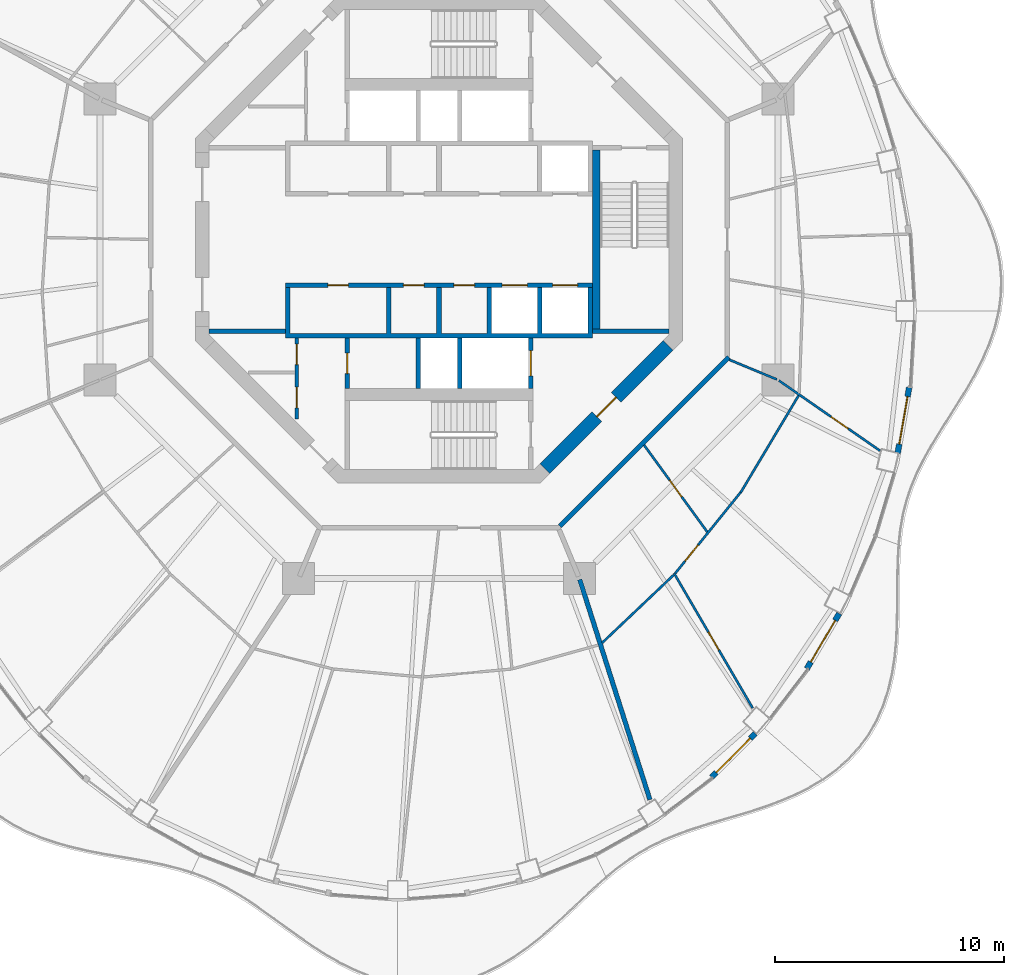
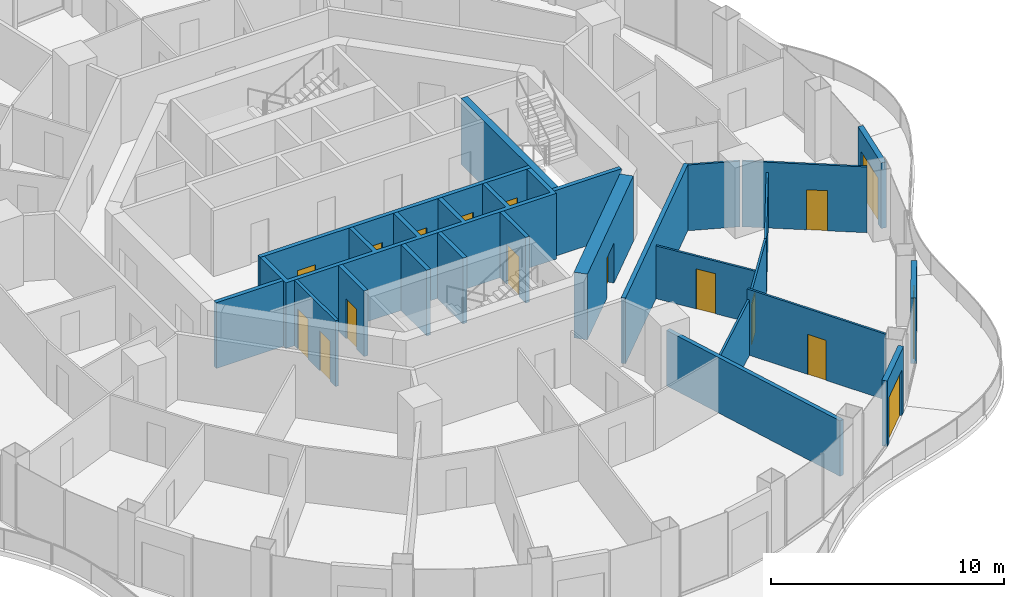
# One storey, part 11 of 17: 23 walls, 17 doors, 17 openings.
"""IFC4 building model written with IfcOpenShell, lengths in metres."""

from ifc_helpers import new_model, si_unit, direction, frame, frame_2d, origin, place, context, subcontext, project, spatial, polyline, rectangle, outline, extrude, material, layer, layer_set, type_object, element, fill, save


model = new_model("IFC4")

# Units and contexts
model_context = context("Model", 3, precision=1e-05, world=origin(), true_north=direction((0.0, 1.0)))
body_context = subcontext(model_context, "Body", "Model", "MODEL_VIEW")
ifc_project = project(units=[si_unit("LENGTHUNIT", "METRE"), si_unit("AREAUNIT", "SQUARE_METRE"), si_unit("VOLUMEUNIT", "CUBIC_METRE"), si_unit("PLANEANGLEUNIT", "RADIAN"), si_unit("MASSUNIT", "GRAM", prefix="KILO")], contexts=[model_context])

# Site, building, storey
site_placement = place(None, origin())
site = spatial("IfcSite", under=ifc_project, at=site_placement, CompositionType="ELEMENT")
building_placement = place(site_placement, origin())
building = spatial("IfcBuilding", under=site, at=building_placement, Name="Nagisa Residences", CompositionType="ELEMENT")
storey_placement = place(building_placement, frame((0.0, 0.0, 277.0)))
storey = spatial("IfcBuildingStorey", under=building, at=storey_placement, Name="L70", CompositionType="ELEMENT", Elevation=277.0)

# Walls
ifc_material_1 = material(Name="Gypsum board on steel studs", Category="steel")
ifc_layer_1 = layer(ifc_material_1, 0.199951171875)
ifc_layer_set_1 = layer_set([ifc_layer_1], Name="Apartment compartment wall EI60 200")
wall_type_1 = type_object("IfcWallType", Name="Apartment compartment wall EI60 200", PredefinedType="PARTITIONING", material=ifc_layer_set_1)
wall_1_placement = place(storey_placement, frame((6.13818359375, -14.82958984375, 0.0), z_axis=(0.0, 0.0, 1.0), x_axis=(0.303653679037, -0.952782474234, 0.0)))
element("IfcWall", 1, at=wall_1_placement, inside=storey, type_object=wall_type_1, Name="wall:L70:u09", PredefinedType="PARTITIONING", context=body_context, shape_type="SweptSolid", body=[
    extrude(rectangle(XDim=10.075927734375, YDim=0.199951171875, at=frame_2d((5.0380859375, 0.0))), origin(), (0.0, 0.0, 1.0), 2.905029296875),
])
ifc_material_2 = material(Name="Gypsum board on steel studs", Category="steel")
ifc_layer_2 = layer(ifc_material_2, 0.199951171875)
ifc_layer_set_2 = layer_set([ifc_layer_2], Name="Apartment entry wall EI60 200")
wall_type_2 = type_object("IfcWallType", Name="Apartment entry wall EI60 200", PredefinedType="PARTITIONING", material=ifc_layer_set_2)
wall_2_placement = place(storey_placement, frame((5.275146484375, -12.494140625, 0.0), z_axis=(0.0, 0.0, 1.0), x_axis=(0.707106781187, 0.707106781187, 0.0)))
element("IfcWall", 2, at=wall_2_placement, inside=storey, type_object=wall_type_2, Name="wall:L70:u17", PredefinedType="PARTITIONING", context=body_context, shape_type="SweptSolid", body=[
    extrude(rectangle(XDim=10.4091796875, YDim=0.199951171875, at=frame_2d((5.20458984375, 0.0))), origin(), (0.0, 0.0, 1.0), 3.43994140625),
])
ifc_material_3 = material(Name="Gypsum board on steel studs", Category="steel")
ifc_layer_3 = layer(ifc_material_3, 0.10009765625)
ifc_layer_set_3 = layer_set([ifc_layer_3], Name="Apartment partition 100")
wall_type_3 = type_object("IfcWallType", Name="Apartment partition 100", PredefinedType="PARTITIONING", material=ifc_layer_set_3)
wall_3_placement = place(storey_placement, frame((7.113037109375, -17.592041015625, 0.0), z_axis=(0.0, 0.0, 1.0), x_axis=(0.725433932329, 0.688291805723, 0.0)))
element("IfcWall", 3, at=wall_3_placement, inside=storey, type_object=wall_type_3, Name="wall:L70:u60", PredefinedType="PARTITIONING", context=body_context, shape_type="SweptSolid", body=[
    extrude(rectangle(XDim=4.305419921875, YDim=0.10009765625, at=frame_2d((2.15283203125, 0.0))), origin(), (0.0, 0.0, 1.0), 2.905029296875),
])

# Wall, opening, door
wall_4_placement = place(storey_placement, frame((10.24755859375, -14.551025390625, 0.0), z_axis=(0.0, 0.0, 1.0), x_axis=(0.503826483408, -0.86380488226, 0.0)))
wall_4 = element("IfcWall", 4, at=wall_4_placement, inside=storey, type_object=wall_type_3, Name="wall:L70:u61", PredefinedType="PARTITIONING", context=body_context, shape_type="SweptSolid", body=[
    extrude(rectangle(XDim=6.81591796875, YDim=0.10009765625, at=frame_2d((3.407958984375, 0.0))), origin(), (0.0, 0.0, 1.0), 3.43994140625),
])
opening_1_placement = place(wall_4_placement, frame((2.98291015625, 0.0, 0.0)))
opening_1 = element("IfcOpeningElement", 5, at=opening_1_placement, cuts=wall_4, Name="Opening L70-U39", PredefinedType="OPENING", context=body_context, shape_type="SweptSolid", body=[
    extrude(rectangle(XDim=0.89990234375, YDim=2.10009765625, at=frame_2d((0.449951171875, 1.050048828125))), frame((0.0, 0.06005859375, 0.0), z_axis=(0.0, -1.0, 0.0), x_axis=(1.0, 0.0, 0.0)), (0.0, 0.0, 1.0), 0.1201171875),
])
ifc_material_4 = material(Name="Timber door set", Category="wood")
door_type_1 = type_object("IfcDoorType", Name="Apartment door 900x2100", OperationType="NOTDEFINED", PredefinedType="DOOR", material=ifc_material_4)
door_1_placement = place(opening_1_placement, frame((0.89990234375, 0.0, 0.0), x_axis=(-1.0, 0.0, 0.0)))
door_1 = element("IfcDoor", 6, at=door_1_placement, inside=storey, type_object=door_type_1, Name="Door to master bedroom, Apartment 70E", OperationType="SINGLE_SWING_RIGHT", OverallHeight=2.10009765625, OverallWidth=0.89990234375, PredefinedType="DOOR", context=body_context, shape_type="SweptSolid", body=[
    extrude(rectangle(XDim=0.89990234375, YDim=2.10009765625, at=frame_2d((0.449951171875, 1.050048828125))), frame((0.0, 0.02490234375, 0.0), z_axis=(0.0, -1.0, 0.0), x_axis=(1.0, 0.0, 0.0)), (0.0, 0.0, 1.0), 0.050048828125),
])
fill(opening_1, door_1)

wall_5_placement = place(storey_placement, frame((10.303955078125, -14.555419921875, 0.0), z_axis=(0.0, 0.0, 1.0), x_axis=(0.628170338674, 0.778075848237, 0.0)))
wall_5 = element("IfcWall", 7, at=wall_5_placement, inside=storey, type_object=wall_type_3, Name="wall:L70:u62", PredefinedType="PARTITIONING", context=body_context, shape_type="SweptSolid", body=[
    extrude(rectangle(XDim=4.532470703125, YDim=0.10009765625, at=frame_2d((2.26611328125, 0.0))), origin(), (0.0, 0.0, 1.0), 2.905029296875),
])
opening_2_placement = place(wall_5_placement, frame((0.68310546875, 0.0, 0.0)))
opening_2 = element("IfcOpeningElement", 8, at=opening_2_placement, cuts=wall_5, Name="Opening L70-U37", PredefinedType="OPENING", context=body_context, shape_type="SweptSolid", body=[
    extrude(rectangle(XDim=0.89990234375, YDim=2.10009765625, at=frame_2d((0.449951171875, 1.050048828125))), frame((0.0, 0.06005859375, 0.0), z_axis=(0.0, -1.0, 0.0), x_axis=(1.0, 0.0, 0.0)), (0.0, 0.0, 1.0), 0.1201171875),
])
door_2_placement = place(opening_2_placement, origin())
door_2 = element("IfcDoor", 9, at=door_2_placement, inside=storey, type_object=door_type_1, Name="Door to laundry, Apartment 70E", OperationType="SINGLE_SWING_LEFT", OverallHeight=2.10009765625, OverallWidth=0.89990234375, PredefinedType="DOOR", context=body_context, shape_type="SweptSolid", body=[
    extrude(rectangle(XDim=0.89990234375, YDim=2.10009765625, at=frame_2d((0.449951171875, 1.050048828125))), frame((0.0, 0.02490234375, 0.0), z_axis=(0.0, -1.0, 0.0), x_axis=(1.0, 0.0, 0.0)), (0.0, 0.0, 1.0), 0.050048828125),
])
fill(opening_2, door_2)

wall_6_placement = place(storey_placement, frame((8.943359375, -8.965576171875, 0.0), z_axis=(0.0, 0.0, 1.0), x_axis=(0.588357698232, -0.808600778463, 0.0)))
wall_6 = element("IfcWall", 10, at=wall_6_placement, inside=storey, type_object=wall_type_3, Name="wall:L70:u63", PredefinedType="PARTITIONING", context=body_context, shape_type="SweptSolid", body=[
    extrude(rectangle(XDim=4.682373046875, YDim=0.10009765625, at=frame_2d((2.34130859375, 0.0))), origin(), (0.0, 0.0, 1.0), 2.761962890625),
])
opening_3_placement = place(wall_6_placement, frame((1.89111328125, 0.0, 0.0)))
opening_3 = element("IfcOpeningElement", 11, at=opening_3_placement, cuts=wall_6, Name="Opening L70-U38", PredefinedType="OPENING", context=body_context, shape_type="SweptSolid", body=[
    extrude(rectangle(XDim=0.89990234375, YDim=2.10009765625, at=frame_2d((0.449951171875, 1.050048828125))), frame((0.0, 0.06005859375, 0.0), z_axis=(0.0, -1.0, 0.0), x_axis=(1.0, 0.0, 0.0)), (0.0, 0.0, 1.0), 0.1201171875),
])
door_3_placement = place(opening_3_placement, origin())
door_3 = element("IfcDoor", 12, at=door_3_placement, inside=storey, type_object=door_type_1, Name="Door to store, Apartment 70E", OperationType="SINGLE_SWING_RIGHT", OverallHeight=2.10009765625, OverallWidth=0.89990234375, PredefinedType="DOOR", context=body_context, shape_type="SweptSolid", body=[
    extrude(rectangle(XDim=0.89990234375, YDim=2.10009765625, at=frame_2d((0.449951171875, 1.050048828125))), frame((0.0, 0.02490234375, 0.0), z_axis=(0.0, -1.0, 0.0), x_axis=(1.0, 0.0, 0.0)), (0.0, 0.0, 1.0), 0.050048828125),
])
fill(opening_3, door_3)

# Walls
wall_7_placement = place(storey_placement, frame((13.156982421875, -11.03271484375, 0.0), z_axis=(0.0, 0.0, 1.0), x_axis=(0.512736548388, 0.858545998737, 0.0)))
element("IfcWall", 13, at=wall_7_placement, inside=storey, type_object=wall_type_3, Name="wall:L70:u64", PredefinedType="PARTITIONING", context=body_context, shape_type="SweptSolid", body=[
    extrude(rectangle(XDim=4.921630859375, YDim=0.10009765625, at=frame_2d((2.4609375, 0.0))), origin(), (0.0, 0.0, 1.0), 2.905029296875),
])
wall_8_placement = place(storey_placement, frame((12.6572265625, -5.24267578125, 0.0), z_axis=(0.0, 0.0, 1.0), x_axis=(0.923864733477, -0.382719158442, 0.0)))
element("IfcWall", 14, at=wall_8_placement, inside=storey, type_object=wall_type_3, Name="wall:L70:u65", PredefinedType="PARTITIONING", context=body_context, shape_type="SweptSolid", body=[
    extrude(rectangle(XDim=2.25, YDim=0.10009765625, at=frame_2d((1.125, 0.0))), origin(), (0.0, 0.0, 1.0), 3.43994140625),
])

# Wall, opening, door
wall_9_placement = place(storey_placement, frame((14.8232421875, -6.1513671875, 0.0), z_axis=(0.0, 0.0, 1.0), x_axis=(0.821435065081, -0.570302054928, 0.0)))
wall_9 = element("IfcWall", 15, at=wall_9_placement, inside=storey, type_object=wall_type_3, Name="wall:L70:u66", PredefinedType="PARTITIONING", context=body_context, shape_type="SweptSolid", body=[
    extrude(rectangle(XDim=5.3681640625, YDim=0.10009765625, at=frame_2d((2.68408203125, 0.0))), origin(), (0.0, 0.0, 1.0), 3.43994140625),
])
opening_4_placement = place(wall_9_placement, frame((2.771484375, 0.0, 0.0)))
opening_4 = element("IfcOpeningElement", 16, at=opening_4_placement, cuts=wall_9, Name="Opening L70-U36", PredefinedType="OPENING", context=body_context, shape_type="SweptSolid", body=[
    extrude(rectangle(XDim=0.89990234375, YDim=2.10009765625, at=frame_2d((0.449951171875, 1.050048828125))), frame((0.0, 0.06005859375, 0.0), z_axis=(0.0, -1.0, 0.0), x_axis=(1.0, 0.0, 0.0)), (0.0, 0.0, 1.0), 0.1201171875),
])
door_4_placement = place(opening_4_placement, frame((0.89990234375, 0.0, 0.0), x_axis=(-1.0, 0.0, 0.0)))
door_4 = element("IfcDoor", 17, at=door_4_placement, inside=storey, type_object=door_type_1, Name="Door to living room, Apartment 70E", OperationType="SINGLE_SWING_LEFT", OverallHeight=2.10009765625, OverallWidth=0.89990234375, PredefinedType="DOOR", context=body_context, shape_type="SweptSolid", body=[
    extrude(rectangle(XDim=0.89990234375, YDim=2.10009765625, at=frame_2d((0.449951171875, 1.050048828125))), frame((0.0, 0.02490234375, 0.0), z_axis=(0.0, -1.0, 0.0), x_axis=(1.0, 0.0, 0.0)), (0.0, 0.0, 1.0), 0.050048828125),
])
fill(opening_4, door_4)

ifc_material_5 = material(Name="Precast concrete C40/50", Category="concrete")
ifc_layer_4 = layer(ifc_material_5, 0.25)
ifc_layer_set_4 = layer_set([ifc_layer_4], Name="BALCONY DOOR WALL 250")
wall_type_4 = type_object("IfcWallType", Name="BALCONY DOOR WALL 250", PredefinedType="SOLIDWALL", material=ifc_layer_set_4)
wall_10_placement = place(storey_placement, frame((13.787841796875, -21.548095703125, 0.0), z_axis=(0.0, 0.0, 1.0), x_axis=(-0.707831739508, -0.706381078841, 0.0)))
wall_10 = element("IfcWall", 18, at=wall_10_placement, inside=storey, type_object=wall_type_4, Name="wall:L70:bay41", PredefinedType="SOLIDWALL", context=body_context, shape_type="SweptSolid", body=[
    extrude(rectangle(XDim=2.692626953125, YDim=0.25, at=frame_2d((1.34619140625, 0.0))), origin(), (0.0, 0.0, 1.0), 3.43994140625),
])
opening_5_placement = place(wall_10_placement, frame((0.29638671875, 0.0, 0.0)))
opening_5 = element("IfcOpeningElement", 19, at=opening_5_placement, cuts=wall_10, Name="Opening BD-L70-14", PredefinedType="OPENING", context=body_context, shape_type="SweptSolid", body=[
    extrude(rectangle(XDim=2.10009765625, YDim=2.39990234375, at=frame_2d((1.050048828125, 1.199951171875))), frame((0.0, 0.135009765625, 0.0), z_axis=(0.0, -1.0, 0.0), x_axis=(1.0, 0.0, 0.0)), (0.0, 0.0, 1.0), 0.27001953125),
])
ifc_material_6 = material(Name="Aluminium and clear glass", Category="aluminium")
door_type_2 = type_object("IfcDoorType", Name="BALCONY SLIDING DOOR 2100x2400", OperationType="SLIDING_TO_LEFT", PredefinedType="DOOR", material=ifc_material_6)
door_5_placement = place(opening_5_placement, origin())
door_5 = element("IfcDoor", 20, at=door_5_placement, inside=storey, type_object=door_type_2, Name="door:L70:bay41", OperationType="SLIDING_TO_LEFT", OverallHeight=2.39990234375, OverallWidth=2.10009765625, PredefinedType="DOOR", context=body_context, shape_type="SweptSolid", body=[
    extrude(rectangle(XDim=2.10009765625, YDim=2.39990234375, at=frame_2d((1.050048828125, 1.199951171875))), frame((0.0, 0.02490234375, 0.0), z_axis=(0.0, -1.0, 0.0), x_axis=(1.0, 0.0, 0.0)), (0.0, 0.0, 1.0), 0.050048828125),
])
fill(opening_5, door_5)

wall_11_placement = place(storey_placement, frame((17.453857421875, -16.3125, 0.0), z_axis=(0.0, 0.0, 1.0), x_axis=(-0.506371364425, -0.862315511452, 0.0)))
wall_11 = element("IfcWall", 21, at=wall_11_placement, inside=storey, type_object=wall_type_4, Name="wall:L70:bay43", PredefinedType="SOLIDWALL", context=body_context, shape_type="SweptSolid", body=[
    extrude(rectangle(XDim=2.79638671875, YDim=0.25, at=frame_2d((1.398193359375, 0.0))), origin(), (0.0, 0.0, 1.0), 3.43994140625),
])
opening_6_placement = place(wall_11_placement, frame((0.34814453125, 0.0, 0.0)))
opening_6 = element("IfcOpeningElement", 22, at=opening_6_placement, cuts=wall_11, Name="Opening BD-L70-15", PredefinedType="OPENING", context=body_context, shape_type="SweptSolid", body=[
    extrude(rectangle(XDim=2.10009765625, YDim=2.39990234375, at=frame_2d((1.050048828125, 1.199951171875))), frame((0.0, 0.135009765625, 0.0), z_axis=(0.0, -1.0, 0.0), x_axis=(1.0, 0.0, 0.0)), (0.0, 0.0, 1.0), 0.27001953125),
])
door_6_placement = place(opening_6_placement, origin())
door_6 = element("IfcDoor", 23, at=door_6_placement, inside=storey, type_object=door_type_2, Name="door:L70:bay43", OperationType="SLIDING_TO_LEFT", OverallHeight=2.39990234375, OverallWidth=2.10009765625, PredefinedType="DOOR", context=body_context, shape_type="SweptSolid", body=[
    extrude(rectangle(XDim=2.10009765625, YDim=2.39990234375, at=frame_2d((1.050048828125, 1.199951171875))), frame((0.0, 0.02490234375, 0.0), z_axis=(0.0, -1.0, 0.0), x_axis=(1.0, 0.0, 0.0)), (0.0, 0.0, 1.0), 0.050048828125),
])
fill(opening_6, door_6)

wall_12_placement = place(storey_placement, frame((20.50341796875, -6.455810546875, 0.0), z_axis=(0.0, 0.0, 1.0), x_axis=(-0.172182411767, -0.985065082661, 0.0)))
wall_12 = element("IfcWall", 24, at=wall_12_placement, inside=storey, type_object=wall_type_4, Name="wall:L70:bay46", PredefinedType="SOLIDWALL", context=body_context, shape_type="SweptSolid", body=[
    extrude(rectangle(XDim=2.902587890625, YDim=0.25, at=frame_2d((1.451171875, 0.0))), origin(), (0.0, 0.0, 1.0), 3.43994140625),
])
opening_7_placement = place(wall_12_placement, frame((0.401123046875, 0.0, 0.0)))
opening_7 = element("IfcOpeningElement", 25, at=opening_7_placement, cuts=wall_12, Name="Opening BD-L70-16", PredefinedType="OPENING", context=body_context, shape_type="SweptSolid", body=[
    extrude(rectangle(XDim=2.10009765625, YDim=2.39990234375, at=frame_2d((1.050048828125, 1.199951171875))), frame((0.0, 0.135009765625, 0.0), z_axis=(0.0, -1.0, 0.0), x_axis=(1.0, 0.0, 0.0)), (0.0, 0.0, 1.0), 0.27001953125),
])
door_7_placement = place(opening_7_placement, origin())
door_7 = element("IfcDoor", 26, at=door_7_placement, inside=storey, type_object=door_type_2, Name="door:L70:bay46", OperationType="SLIDING_TO_LEFT", OverallHeight=2.39990234375, OverallWidth=2.10009765625, PredefinedType="DOOR", context=body_context, shape_type="SweptSolid", body=[
    extrude(rectangle(XDim=2.10009765625, YDim=2.39990234375, at=frame_2d((1.050048828125, 1.199951171875))), frame((0.0, 0.02490234375, 0.0), z_axis=(0.0, -1.0, 0.0), x_axis=(1.0, 0.0, 0.0)), (0.0, 0.0, 1.0), 0.050048828125),
])
fill(opening_7, door_7)

# Wall, openings, doors
ifc_material_7 = material(Name="Gypsum board on steel studs", Category="steel")
ifc_layer_5 = layer(ifc_material_7, 0.14990234375)
ifc_layer_set_5 = layer_set([ifc_layer_5], Name="Core partition 150")
wall_type_5 = type_object("IfcWallType", Name="Core partition 150", PredefinedType="PARTITIONING", material=ifc_layer_set_5)
wall_13_placement = place(storey_placement, frame((-6.199951171875, -7.826904296875, 0.0), z_axis=(0.0, 0.0, 1.0), x_axis=(0.0, 1.0, 0.0)))
wall_13 = element("IfcWall", 27, at=wall_13_placement, inside=storey, type_object=wall_type_5, Name="wall:L70:SWp", PredefinedType="PARTITIONING", context=body_context, shape_type="SweptSolid", body=[
    extrude(rectangle(XDim=3.52685546875, YDim=0.14990234375, at=frame_2d((1.763427734375, 0.0))), origin(), (0.0, 0.0, 1.0), 3.43994140625),
])
opening_8_placement = place(wall_13_placement, frame((2.364501953125, 0.0, 0.0)))
opening_8 = element("IfcOpeningElement", 28, at=opening_8_placement, cuts=wall_13, Name="Opening L70-C12", PredefinedType="OPENING", context=body_context, shape_type="SweptSolid", body=[
    extrude(rectangle(XDim=0.89990234375, YDim=2.10009765625, at=frame_2d((0.449951171875, 1.050048828125))), frame((0.0, 0.0849609375, 0.0), z_axis=(0.0, -1.0, 0.0), x_axis=(1.0, 0.0, 0.0)), (0.0, 0.0, 1.0), 0.169921875),
])
opening_9_placement = place(wall_13_placement, frame((0.488525390625, 0.0, 0.0)))
opening_9 = element("IfcOpeningElement", 29, at=opening_9_placement, cuts=wall_13, Name="Opening L70-C13", PredefinedType="OPENING", context=body_context, shape_type="SweptSolid", body=[
    extrude(rectangle(XDim=0.89990234375, YDim=2.10009765625, at=frame_2d((0.449951171875, 1.050048828125))), frame((0.0, 0.0849609375, 0.0), z_axis=(0.0, -1.0, 0.0), x_axis=(1.0, 0.0, 0.0)), (0.0, 0.0, 1.0), 0.169921875),
])
ifc_material_8 = material(Name="Steel fire door", Category="steel")
door_type_3 = type_object("IfcDoorType", Name="Fire door EI30 900x2100 single swing", OperationType="NOTDEFINED", PredefinedType="DOOR", material=ifc_material_8)
door_8_placement = place(opening_8_placement, origin())
door_8 = element("IfcDoor", 30, at=door_8_placement, inside=storey, type_object=door_type_3, Name="Janitor door L70", OperationType="SINGLE_SWING_RIGHT", OverallHeight=2.10009765625, OverallWidth=0.89990234375, PredefinedType="DOOR", context=body_context, shape_type="SweptSolid", body=[
    extrude(rectangle(XDim=0.89990234375, YDim=2.10009765625, at=frame_2d((0.449951171875, 1.050048828125))), frame((0.0, 0.02490234375, 0.0), z_axis=(0.0, -1.0, 0.0), x_axis=(1.0, 0.0, 0.0)), (0.0, 0.0, 1.0), 0.050048828125),
])
fill(opening_8, door_8)
door_9_placement = place(opening_9_placement, origin())
door_9 = element("IfcDoor", 31, at=door_9_placement, inside=storey, type_object=door_type_3, Name="Electrical room door L70", OperationType="SINGLE_SWING_RIGHT", OverallHeight=2.10009765625, OverallWidth=0.89990234375, PredefinedType="DOOR", context=body_context, shape_type="SweptSolid", body=[
    extrude(rectangle(XDim=0.89990234375, YDim=2.10009765625, at=frame_2d((0.449951171875, 1.050048828125))), frame((0.0, 0.02490234375, 0.0), z_axis=(0.0, -1.0, 0.0), x_axis=(1.0, 0.0, 0.0)), (0.0, 0.0, 1.0), 0.050048828125),
])
fill(opening_9, door_9)

# Wall
ifc_material_9 = material(Name="Gypsum board on steel studs", Category="steel")
ifc_layer_6 = layer(ifc_material_9, 0.199951171875)
ifc_layer_set_6 = layer_set([ifc_layer_6], Name="Core partition 200")
wall_type_6 = type_object("IfcWallType", Name="Core partition 200", PredefinedType="PARTITIONING", material=ifc_layer_set_6)
wall_14_placement = place(storey_placement, frame((-10.024658203125, -4.0, 0.0), z_axis=(0.0, 0.0, 1.0), x_axis=(1.0, 0.0, 0.0)))
element("IfcWall", 32, at=wall_14_placement, inside=storey, type_object=wall_type_6, Name="wall:L70:PSW", PredefinedType="PARTITIONING", context=body_context, shape_type="SweptSolid", body=[
    extrude(rectangle(XDim=3.32470703125, YDim=0.199951171875, at=frame_2d((1.662353515625, 0.0))), origin(), (0.0, 0.0, 1.0), 3.43994140625),
])

# Wall, opening, door
ifc_material_10 = material(Name="Concrete C60", Category="concrete")
ifc_layer_7 = layer(ifc_material_10, 0.60009765625)
ifc_layer_set_7 = layer_set([ifc_layer_7], Name="Core shear wall 600")
wall_type_7 = type_object("IfcWallType", Name="Core shear wall 600", PredefinedType="SHEAR", material=ifc_layer_set_7)
wall_15_placement = place(storey_placement, frame((4.613037109375, -9.98828125, 0.0), z_axis=(0.0, 0.0, 1.0), x_axis=(0.707106781187, 0.707106781187, 0.0)))
wall_15 = element("IfcWall", 33, at=wall_15_placement, inside=storey, type_object=wall_type_7, Name="wall:L70:core:flat7", PredefinedType="SHEAR", context=body_context, shape_type="SweptSolid", body=[
    extrude(rectangle(XDim=7.601806640625, YDim=0.60009765625, at=frame_2d((3.80078125, 0.0))), origin(), (0.0, 0.0, 1.0), 3.43994140625),
])
opening_10_placement = place(wall_15_placement, frame((3.200927734375, 0.0, 0.0)))
opening_10 = element("IfcOpeningElement", 34, at=opening_10_placement, cuts=wall_15, Name="Opening L70-C22", PredefinedType="OPENING", context=body_context, shape_type="SweptSolid", body=[
    extrude(rectangle(XDim=1.199951171875, YDim=2.10009765625, at=frame_2d((0.60009765625, 1.050048828125))), frame((0.0, 0.31005859375, 0.0), z_axis=(0.0, -1.0, 0.0), x_axis=(1.0, 0.0, 0.0)), (0.0, 0.0, 1.0), 0.6201171875),
])
ifc_material_11 = material(Name="Steel fire door", Category="steel")
door_type_4 = type_object("IfcDoorType", Name="Fire door EI60 1200x2100 single swing", OperationType="NOTDEFINED", PredefinedType="DOOR", material=ifc_material_11)
door_10_placement = place(opening_10_placement, origin())
door_10 = element("IfcDoor", 35, at=door_10_placement, inside=storey, type_object=door_type_4, Name="Firefighting lobby 2 door L70", OperationType="SINGLE_SWING_RIGHT", OverallHeight=2.10009765625, OverallWidth=1.199951171875, PredefinedType="DOOR", context=body_context, shape_type="SweptSolid", body=[
    extrude(rectangle(XDim=1.199951171875, YDim=2.10009765625, at=frame_2d((0.60009765625, 1.050048828125))), frame((0.0, 0.02490234375, 0.0), z_axis=(0.0, -1.0, 0.0), x_axis=(1.0, 0.0, 0.0)), (0.0, 0.0, 1.0), 0.050048828125),
])
fill(opening_10, door_10)

ifc_material_12 = material(Name="Concrete C60", Category="concrete")
ifc_layer_8 = layer(ifc_material_12, 0.199951171875)
ifc_layer_set_8 = layer_set([ifc_layer_8], Name="Lift shaft wall 200")
wall_type_8 = type_object("IfcWallType", Name="Lift shaft wall 200", PredefinedType="SOLIDWALL", material=ifc_layer_set_8)
wall_16_placement = place(storey_placement, frame((4.0, -6.5, 0.0), z_axis=(0.0, 0.0, 1.0), x_axis=(0.0, 1.0, 0.0)))
wall_16 = element("IfcWall", 36, at=wall_16_placement, inside=storey, type_object=wall_type_8, Name="wall:L70:Sb3", PredefinedType="SOLIDWALL", context=body_context, shape_type="SweptSolid", body=[
    extrude(rectangle(XDim=2.199951171875, YDim=0.199951171875, at=frame_2d((1.10009765625, 0.0))), origin(), (0.0, 0.0, 1.0), 3.43994140625),
])
opening_11_placement = place(wall_16_placement, frame((0.550048828125, 0.0, 0.0)))
opening_11 = element("IfcOpeningElement", 37, at=opening_11_placement, cuts=wall_16, Name="Opening L70-C05", PredefinedType="OPENING", context=body_context, shape_type="SweptSolid", body=[
    extrude(rectangle(XDim=1.10009765625, YDim=2.10009765625, at=frame_2d((0.550048828125, 1.050048828125))), frame((0.0, 0.10986328125, 0.0), z_axis=(0.0, -1.0, 0.0), x_axis=(1.0, 0.0, 0.0)), (0.0, 0.0, 1.0), 0.219970703125),
])
ifc_material_13 = material(Name="Stainless steel", Category="steel")
door_type_5 = type_object("IfcDoorType", Name="Lift landing door 1100x2100", OperationType="DOUBLE_DOOR_SLIDING", PredefinedType="DOOR", material=ifc_material_13)
door_11_placement = place(opening_11_placement, origin())
door_11 = element("IfcDoor", 38, at=door_11_placement, inside=storey, type_object=door_type_5, Name="Landing door FL2 L70", OperationType="DOUBLE_DOOR_SLIDING", OverallHeight=2.10009765625, OverallWidth=1.10009765625, PredefinedType="DOOR", context=body_context, shape_type="SweptSolid", body=[
    extrude(rectangle(XDim=1.10009765625, YDim=2.10009765625, at=frame_2d((0.550048828125, 1.050048828125))), frame((0.0, 0.02490234375, 0.0), z_axis=(0.0, -1.0, 0.0), x_axis=(1.0, 0.0, 0.0)), (0.0, 0.0, 1.0), 0.050048828125),
])
fill(opening_11, door_11)

wall_17_placement = place(storey_placement, frame((-4.0, -6.5, 0.0), z_axis=(0.0, 0.0, 1.0), x_axis=(0.0, 1.0, 0.0)))
wall_17 = element("IfcWall", 39, at=wall_17_placement, inside=storey, type_object=wall_type_8, Name="wall:L70:Sb4", PredefinedType="SOLIDWALL", context=body_context, shape_type="SweptSolid", body=[
    extrude(rectangle(XDim=2.199951171875, YDim=0.199951171875, at=frame_2d((1.10009765625, 0.0))), origin(), (0.0, 0.0, 1.0), 3.43994140625),
])
opening_12_placement = place(wall_17_placement, frame((0.64990234375, 0.0, 0.0)))
opening_12 = element("IfcOpeningElement", 40, at=opening_12_placement, cuts=wall_17, Name="Opening L70-C14", PredefinedType="OPENING", context=body_context, shape_type="SweptSolid", body=[
    extrude(rectangle(XDim=0.89990234375, YDim=2.10009765625, at=frame_2d((0.449951171875, 1.050048828125))), frame((0.0, 0.10986328125, 0.0), z_axis=(0.0, -1.0, 0.0), x_axis=(1.0, 0.0, 0.0)), (0.0, 0.0, 1.0), 0.219970703125),
])
door_12_placement = place(opening_12_placement, frame((0.89990234375, 0.0, 0.0), x_axis=(-1.0, 0.0, 0.0)))
door_12 = element("IfcDoor", 41, at=door_12_placement, inside=storey, type_object=door_type_3, Name="Refuse room door L70", OperationType="SINGLE_SWING_RIGHT", OverallHeight=2.10009765625, OverallWidth=0.89990234375, PredefinedType="DOOR", context=body_context, shape_type="SweptSolid", body=[
    extrude(rectangle(XDim=0.89990234375, YDim=2.10009765625, at=frame_2d((0.449951171875, 1.050048828125))), frame((0.0, 0.02490234375, 0.0), z_axis=(0.0, -1.0, 0.0), x_axis=(1.0, 0.0, 0.0)), (0.0, 0.0, 1.0), 0.050048828125),
])
fill(opening_12, door_12)

# Wall, openings, doors
wall_18_placement = place(storey_placement, frame((-6.699951171875, -2.0, 0.0), z_axis=(0.0, 0.0, 1.0), x_axis=(1.0, 0.0, 0.0)))
wall_18 = element("IfcWall", 42, at=wall_18_placement, inside=storey, type_object=wall_type_8, Name="wall:L70:Sfront", PredefinedType="SOLIDWALL", context=body_context, shape_type="SweptSolid", body=[
    extrude(rectangle(XDim=13.39990234375, YDim=0.199951171875, at=frame_2d((6.699951171875, 0.0))), origin(), (0.0, 0.0, 1.0), 3.43994140625),
])
opening_13_placement = place(wall_18_placement, frame((9.449951171875, 0.0, 0.0)))
opening_13 = element("IfcOpeningElement", 43, at=opening_13_placement, cuts=wall_18, Name="Opening L70-C02", PredefinedType="OPENING", context=body_context, shape_type="SweptSolid", body=[
    extrude(rectangle(XDim=1.10009765625, YDim=2.10009765625, at=frame_2d((0.550048828125, 1.050048828125))), frame((0.0, 0.10986328125, 0.0), z_axis=(0.0, -1.0, 0.0), x_axis=(1.0, 0.0, 0.0)), (0.0, 0.0, 1.0), 0.219970703125),
])
opening_14_placement = place(wall_18_placement, frame((11.64990234375, 0.0, 0.0)))
opening_14 = element("IfcOpeningElement", 44, at=opening_14_placement, cuts=wall_18, Name="Opening L70-C03", PredefinedType="OPENING", context=body_context, shape_type="SweptSolid", body=[
    extrude(rectangle(XDim=1.10009765625, YDim=2.10009765625, at=frame_2d((0.550048828125, 1.050048828125))), frame((0.0, 0.10986328125, 0.0), z_axis=(0.0, -1.0, 0.0), x_axis=(1.0, 0.0, 0.0)), (0.0, 0.0, 1.0), 0.219970703125),
])
opening_15_placement = place(wall_18_placement, frame((1.85009765625, 0.0, 0.0)))
opening_15 = element("IfcOpeningElement", 45, at=opening_15_placement, cuts=wall_18, Name="Opening L70-C18", PredefinedType="OPENING", context=body_context, shape_type="SweptSolid", body=[
    extrude(rectangle(XDim=0.89990234375, YDim=2.10009765625, at=frame_2d((0.449951171875, 1.050048828125))), frame((0.0, 0.10986328125, 0.0), z_axis=(0.0, -1.0, 0.0), x_axis=(1.0, 0.0, 0.0)), (0.0, 0.0, 1.0), 0.219970703125),
])
opening_16_placement = place(wall_18_placement, frame((5.14990234375, 0.0, 0.0)))
opening_16 = element("IfcOpeningElement", 46, at=opening_16_placement, cuts=wall_18, Name="Opening L70-C19", PredefinedType="OPENING", context=body_context, shape_type="SweptSolid", body=[
    extrude(rectangle(XDim=0.89990234375, YDim=2.10009765625, at=frame_2d((0.449951171875, 1.050048828125))), frame((0.0, 0.10986328125, 0.0), z_axis=(0.0, -1.0, 0.0), x_axis=(1.0, 0.0, 0.0)), (0.0, 0.0, 1.0), 0.219970703125),
])
opening_17_placement = place(wall_18_placement, frame((7.35009765625, 0.0, 0.0)))
opening_17 = element("IfcOpeningElement", 47, at=opening_17_placement, cuts=wall_18, Name="Opening L70-C20", PredefinedType="OPENING", context=body_context, shape_type="SweptSolid", body=[
    extrude(rectangle(XDim=0.89990234375, YDim=2.10009765625, at=frame_2d((0.449951171875, 1.050048828125))), frame((0.0, 0.10986328125, 0.0), z_axis=(0.0, -1.0, 0.0), x_axis=(1.0, 0.0, 0.0)), (0.0, 0.0, 1.0), 0.219970703125),
])
door_13_placement = place(opening_15_placement, frame((0.89990234375, 0.0, 0.0), x_axis=(-1.0, 0.0, 0.0)))
door_13 = element("IfcDoor", 48, at=door_13_placement, inside=storey, type_object=door_type_3, Name="Owner storage door L70", OperationType="SINGLE_SWING_RIGHT", OverallHeight=2.10009765625, OverallWidth=0.89990234375, PredefinedType="DOOR", context=body_context, shape_type="SweptSolid", body=[
    extrude(rectangle(XDim=0.89990234375, YDim=2.10009765625, at=frame_2d((0.449951171875, 1.050048828125))), frame((0.0, 0.02490234375, 0.0), z_axis=(0.0, -1.0, 0.0), x_axis=(1.0, 0.0, 0.0)), (0.0, 0.0, 1.0), 0.050048828125),
])
fill(opening_15, door_13)
door_14_placement = place(opening_16_placement, frame((0.89990234375, 0.0, 0.0), x_axis=(-1.0, 0.0, 0.0)))
door_14 = element("IfcDoor", 49, at=door_14_placement, inside=storey, type_object=door_type_3, Name="Recycling room door L70", OperationType="SINGLE_SWING_RIGHT", OverallHeight=2.10009765625, OverallWidth=0.89990234375, PredefinedType="DOOR", context=body_context, shape_type="SweptSolid", body=[
    extrude(rectangle(XDim=0.89990234375, YDim=2.10009765625, at=frame_2d((0.449951171875, 1.050048828125))), frame((0.0, 0.02490234375, 0.0), z_axis=(0.0, -1.0, 0.0), x_axis=(1.0, 0.0, 0.0)), (0.0, 0.0, 1.0), 0.050048828125),
])
fill(opening_16, door_14)
door_15_placement = place(opening_17_placement, frame((0.89990234375, 0.0, 0.0), x_axis=(-1.0, 0.0, 0.0)))
door_15 = element("IfcDoor", 50, at=door_15_placement, inside=storey, type_object=door_type_3, Name="Stationery store door L70", OperationType="SINGLE_SWING_RIGHT", OverallHeight=2.10009765625, OverallWidth=0.89990234375, PredefinedType="DOOR", context=body_context, shape_type="SweptSolid", body=[
    extrude(rectangle(XDim=0.89990234375, YDim=2.10009765625, at=frame_2d((0.449951171875, 1.050048828125))), frame((0.0, 0.02490234375, 0.0), z_axis=(0.0, -1.0, 0.0), x_axis=(1.0, 0.0, 0.0)), (0.0, 0.0, 1.0), 0.050048828125),
])
fill(opening_17, door_15)
door_16_placement = place(opening_13_placement, origin())
door_16 = element("IfcDoor", 51, at=door_16_placement, inside=storey, type_object=door_type_5, Name="Landing door C2 L70", OperationType="DOUBLE_DOOR_SLIDING", OverallHeight=2.10009765625, OverallWidth=1.10009765625, PredefinedType="DOOR", context=body_context, shape_type="SweptSolid", body=[
    extrude(rectangle(XDim=1.10009765625, YDim=2.10009765625, at=frame_2d((0.550048828125, 1.050048828125))), frame((0.0, 0.02490234375, 0.0), z_axis=(0.0, -1.0, 0.0), x_axis=(1.0, 0.0, 0.0)), (0.0, 0.0, 1.0), 0.050048828125),
])
fill(opening_13, door_16)
door_17_placement = place(opening_14_placement, origin())
door_17 = element("IfcDoor", 52, at=door_17_placement, inside=storey, type_object=door_type_5, Name="Landing door C3 L70", OperationType="DOUBLE_DOOR_SLIDING", OverallHeight=2.10009765625, OverallWidth=1.10009765625, PredefinedType="DOOR", context=body_context, shape_type="SweptSolid", body=[
    extrude(rectangle(XDim=1.10009765625, YDim=2.10009765625, at=frame_2d((0.550048828125, 1.050048828125))), frame((0.0, 0.02490234375, 0.0), z_axis=(0.0, -1.0, 0.0), x_axis=(1.0, 0.0, 0.0)), (0.0, 0.0, 1.0), 0.050048828125),
])
fill(opening_14, door_17)

# Walls
for number, where, z_axis, x_axis, name in (
    (53, (-0.89990234375, -6.5, 0.0), (0.0, 0.0, 1.0), (0.0, 1.0, 0.0), "wall:L70:Sb1"),
    (54, (0.89990234375, -6.5, 0.0), (0.0, 0.0, 1.0), (0.0, 1.0, 0.0), "wall:L70:Sb2"),
):
    element("IfcWall", number, at=place(storey_placement, frame(where, z_axis=z_axis, x_axis=x_axis)), inside=storey, type_object=wall_type_8, Name=name, PredefinedType="SOLIDWALL", context=body_context, shape_type="SweptSolid", body=[
        extrude(rectangle(XDim=2.199951171875, YDim=0.199951171875, at=frame_2d((1.10009765625, 0.0))), origin(), (0.0, 0.0, 1.0), 3.43994140625),
    ])
wall_19_placement = place(storey_placement, origin())
element("IfcWall", 55, at=wall_19_placement, inside=storey, type_object=wall_type_8, Name="wall:L70:Sback", PredefinedType="SOLIDWALL", context=body_context, shape_type="SweptSolid", body=[
    extrude(outline(polyline([(-6.699951171875, -2.10009765625), (-6.5, -2.10009765625), (-6.5, -4.10009765625), (-2.300048828125, -4.10009765625), (-2.300048828125, -2.10009765625), (-2.10009765625, -2.10009765625), (-2.10009765625, -4.10009765625), (-0.10009765625, -4.10009765625), (-0.10009765625, -2.10009765625), (0.10009765625, -2.10009765625), (0.10009765625, -4.10009765625), (2.10009765625, -4.10009765625), (2.10009765625, -2.10009765625), (2.300048828125, -2.10009765625), (2.300048828125, -4.10009765625), (4.300048828125, -4.10009765625), (4.300048828125, -2.10009765625), (4.5, -2.10009765625), (4.5, -4.10009765625), (6.5, -4.10009765625), (6.5, -2.10009765625), (6.699951171875, -2.10009765625), (6.699951171875, -4.300048828125), (-6.699951171875, -4.300048828125), (-6.699951171875, -2.10009765625)])), origin(), (0.0, 0.0, 1.0), 3.43994140625),
])
ifc_material_14 = material(Name="Concrete C60", Category="concrete")
ifc_layer_9 = layer(ifc_material_14, 0.199951171875)
ifc_layer_set_9 = layer_set([ifc_layer_9], Name="Stair enclosure wall 200")
wall_type_9 = type_object("IfcWallType", Name="Stair enclosure wall 200", PredefinedType="SOLIDWALL", material=ifc_layer_set_9)
wall_20_placement = place(storey_placement, origin())
element("IfcWall", 56, at=wall_20_placement, inside=storey, type_object=wall_type_9, Name="wall:L70:SE_w", PredefinedType="SOLIDWALL", context=body_context, shape_type="SweptSolid", body=[
    extrude(outline(polyline([(7.024658203125, -3.89990234375), (6.699951171875, -3.89990234375), (6.699951171875, 3.89990234375), (7.024658203125, 3.89990234375), (7.024658203125, -3.89990234375)])), origin(), (0.0, 0.0, 1.0), 3.43994140625),
])
wall_21_placement = place(storey_placement, origin())
element("IfcWall", 57, at=wall_21_placement, inside=storey, type_object=wall_type_9, Name="wall:L70:SE_s", PredefinedType="SOLIDWALL", context=body_context, shape_type="SweptSolid", body=[
    extrude(outline(polyline([(10.024658203125, -4.10009765625), (6.699951171875, -4.10009765625), (6.699951171875, -3.89990234375), (10.024658203125, -3.89990234375), (10.024658203125, -4.10009765625)])), origin(), (0.0, 0.0, 1.0), 3.43994140625),
])

save(model, "model.ifc")
